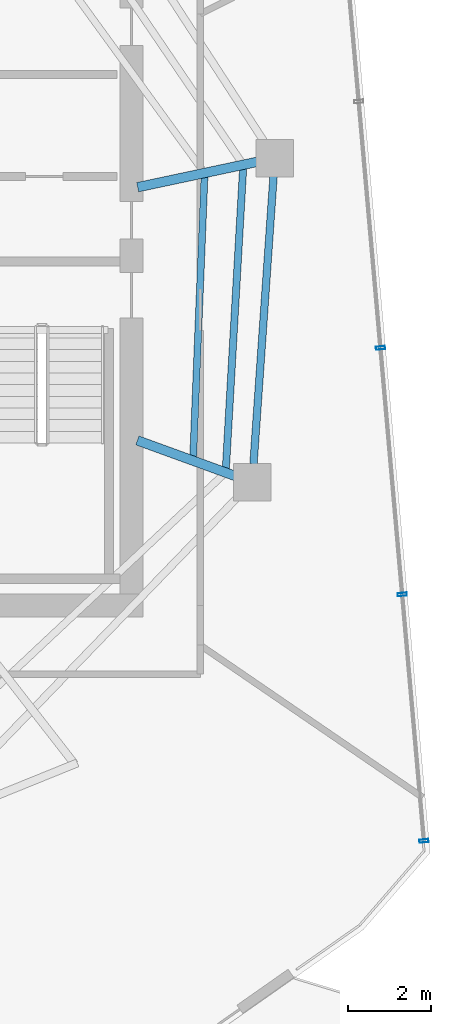
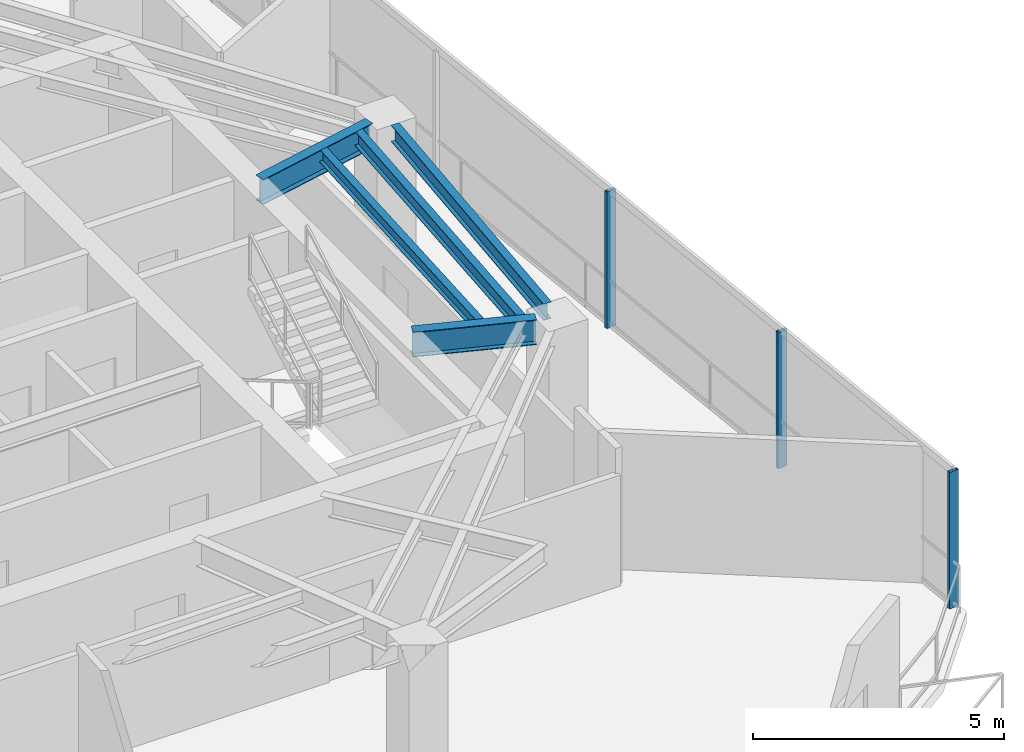
# One storey, part 9 of 20: 5 beams, 3 members, 1 element without a shape of its own.
"""IFC4 building model written with IfcOpenShell, lengths in metres."""

from ifc_helpers import new_model, si_unit, direction, frame, origin, origin_2d, place, context, subcontext, project, spatial, hollow_rectangle, i_section, extrude, material, layer, layer_set, material_profile, profile_set, type_object, element, aggregate, save


model = new_model("IFC4")

# Units and contexts
model_context = context("Model", 3, precision=1e-05, world=origin(), true_north=direction((0.0, 1.0)))
body_context = subcontext(model_context, "Body", "Model", "MODEL_VIEW")
ifc_project = project(units=[si_unit("LENGTHUNIT", "METRE"), si_unit("AREAUNIT", "SQUARE_METRE"), si_unit("VOLUMEUNIT", "CUBIC_METRE"), si_unit("PLANEANGLEUNIT", "RADIAN"), si_unit("MASSUNIT", "GRAM", prefix="KILO")], contexts=[model_context])

# Site, building, storey
site_placement = place(None, origin())
site = spatial("IfcSite", under=ifc_project, at=site_placement, CompositionType="ELEMENT")
building_placement = place(site_placement, origin())
building = spatial("IfcBuilding", under=site, at=building_placement, Name="Qarnah Convention Tower", CompositionType="ELEMENT")
storey_placement = place(building_placement, frame((0.0, 0.0, 198.60009765625)))
storey = spatial("IfcBuildingStorey", under=building, at=storey_placement, Name="L53", CompositionType="ELEMENT", Elevation=198.60009765625)

# Beams
ifc_material_1 = material(Name="Structural steel S355JR", Category="steel")
ifc_material_profile_1 = material_profile(ifc_material_1, i_section(OverallWidth=0.166015625, OverallDepth=0.31201171875, WebThickness=0.007080078125, FlangeThickness=0.010986328125, at=origin_2d()), Name="W310X45")
ifc_profile_set_1 = profile_set([ifc_material_profile_1], Name="Structural steel S355JR")
beam_type_1 = type_object("IfcBeamType", Name="BM-JST-W310", PredefinedType="JOIST", material=ifc_profile_set_1)
beam_1_placement = place(storey_placement, frame((49.0810546875, 22.166015625, 3.163818359375), z_axis=(0.040101253975, 0.999195621202, 0.0), x_axis=(-0.999195621202, 0.040101253975, 0.0)))
element("IfcBeam", 1, at=beam_1_placement, inside=storey, type_object=beam_type_1, Name="L53 joist BM-L53-IJST-09", PredefinedType="JOIST", context=body_context, shape_type="SweptSolid", body=[
    extrude(i_section(OverallWidth=0.166015625, OverallDepth=0.31201171875, WebThickness=0.007080078125, FlangeThickness=0.010986328125, at=origin_2d()), origin(), (0.0, 0.0, 1.0), 6.7333984375),
])
ifc_material_profile_2 = material_profile(ifc_material_1, i_section(OverallWidth=0.172119140625, OverallDepth=0.35595703125, WebThickness=0.007080078125, FlangeThickness=0.011962890625, at=origin_2d()), Name="W360X51")
ifc_profile_set_2 = profile_set([ifc_material_profile_2], Name="Structural steel S355JR")
beam_type_2 = type_object("IfcBeamType", Name="BM-JST-W360", PredefinedType="JOIST", material=ifc_profile_set_2)
beam_2_placement = place(storey_placement, frame((49.864990234375, 21.882080078125, 3.141845703125), z_axis=(0.057342500082, 0.998354565114, 0.0), x_axis=(-0.998354565114, 0.057342500082, 0.0)))
element("IfcBeam", 2, at=beam_2_placement, inside=storey, type_object=beam_type_2, Name="L53 joist BM-L53-SJST-09", PredefinedType="JOIST", context=body_context, shape_type="SweptSolid", body=[
    extrude(i_section(OverallWidth=0.172119140625, OverallDepth=0.35595703125, WebThickness=0.007080078125, FlangeThickness=0.011962890625, at=origin_2d()), origin(), (0.0, 0.0, 1.0), 7.220947265625),
])
ifc_material_profile_3 = material_profile(ifc_material_1, i_section(OverallWidth=0.22802734375, OverallDepth=0.60791015625, WebThickness=0.010986328125, FlangeThickness=0.01708984375, at=origin_2d()), Name="W610X113")
ifc_profile_set_3 = profile_set([ifc_material_profile_3], Name="Structural steel S355JR")
beam_type_3 = type_object("IfcBeamType", Name="BM-RAD-W610B", PredefinedType="BEAM", material=ifc_profile_set_3)
beam_3_placement = place(storey_placement, frame((47.7470703125, 28.64208984375, 3.015869140625), z_axis=(0.978136876062, 0.207962140033, 0.0), x_axis=(-0.207962140033, 0.978136876062, 0.0)))
element("IfcBeam", 3, at=beam_3_placement, inside=storey, type_object=beam_type_3, Name="L53 beam BM-L53-RAD-01", PredefinedType="BEAM", context=body_context, shape_type="SweptSolid", body=[
    extrude(i_section(OverallWidth=0.22802734375, OverallDepth=0.60791015625, WebThickness=0.010986328125, FlangeThickness=0.01708984375, at=origin_2d()), origin(), (0.0, 0.0, 1.0), 2.937255859375),
])
beam_4_placement = place(storey_placement, frame((47.740966796875, 22.56298828125, 3.015869140625), z_axis=(0.939707956932, -0.341978004671, 0.0), x_axis=(0.341978004671, 0.939707956932, 0.0)))
element("IfcBeam", 4, at=beam_4_placement, inside=storey, type_object=beam_type_3, Name="L53 beam BM-L53-RAD-09", PredefinedType="BEAM", context=body_context, shape_type="SweptSolid", body=[
    extrude(i_section(OverallWidth=0.22802734375, OverallDepth=0.60791015625, WebThickness=0.010986328125, FlangeThickness=0.01708984375, at=origin_2d()), origin(), (0.0, 0.0, 1.0), 2.5029296875),
])
ifc_material_profile_4 = material_profile(ifc_material_1, i_section(OverallWidth=0.179931640625, OverallDepth=0.39990234375, WebThickness=0.009033203125, FlangeThickness=0.013916015625, at=origin_2d()), Name="IPE400")
ifc_profile_set_4 = profile_set([ifc_material_profile_4], Name="Structural steel S355JR")
beam_type_4 = type_object("IfcBeamType", Name="BM-SPN-IPE400", PredefinedType="SPANDREL", material=ifc_profile_set_4)
beam_5_placement = place(storey_placement, frame((50.528076171875, 21.9990234375, 3.119873046875), z_axis=(0.069635000818, 0.997572537042, 0.0), x_axis=(-0.997572537042, 0.069635000818, 0.0)))
element("IfcBeam", 5, at=beam_5_placement, inside=storey, type_object=beam_type_4, Name="L53 spandrel BM-L53-SPN-09", PredefinedType="SPANDREL", context=body_context, shape_type="SweptSolid", body=[
    extrude(i_section(OverallWidth=0.179931640625, OverallDepth=0.39990234375, WebThickness=0.009033203125, FlangeThickness=0.013916015625, at=origin_2d()), origin(), (0.0, 0.0, 1.0), 6.9208984375),
])

# Curtain wall, members
ifc_material_2 = material(Name="Tempered Low-E dark glass", Category="glass")
ifc_layer = layer(ifc_material_2, 0.174072265625)
ifc_layer_set = layer_set([ifc_layer], Name="Tempered Low-E dark glass")
curtain_wall_type = type_object("IfcCurtainWallType", Name="CWS-04", PredefinedType="NOTDEFINED", material=ifc_layer_set)
curtain_wall_placement = place(storey_placement, origin())
curtain_wall = element("IfcCurtainWall", 6, at=curtain_wall_placement, inside=storey, type_object=curtain_wall_type, Name="L53 unitised curtain wall CW-L53-F3", PredefinedType="NOTDEFINED")
ifc_material_3 = material(Name="Black anodised aluminium", Category="aluminium")
ifc_material_profile_5 = material_profile(ifc_material_3, hollow_rectangle(XDim=0.074951171875, YDim=0.219970703125, WallThickness=0.0048828125, at=origin_2d()), Name="MUL-75X220")
ifc_profile_set_5 = profile_set([ifc_material_profile_5], Name="Black anodised aluminium")
member_type = type_object("IfcMemberType", Name="MUL-T4", PredefinedType="MULLION", material=ifc_profile_set_5)
member_1_placement = place(storey_placement, frame((53.577880859375, 24.783447265625, 0.0), z_axis=(0.0, 0.0, 1.0), x_axis=(0.087861384632, -0.996132710582, 0.0)))
member_1 = element("IfcMember", 7, at=member_1_placement, type_object=member_type, Name="CW-L53-F3 mullion 4", PredefinedType="MULLION", context=body_context, shape_type="SweptSolid", body=[
    extrude(hollow_rectangle(XDim=0.074951171875, YDim=0.219970703125, WallThickness=0.0048828125, at=origin_2d()), origin(), (0.0, 0.0, 1.0), 3.31982421875),
])
member_2_placement = place(storey_placement, frame((54.10009765625, 18.865234375, 0.0), z_axis=(0.0, 0.0, 1.0), x_axis=(0.087861384632, -0.996132710582, 0.0)))
member_2 = element("IfcMember", 8, at=member_2_placement, type_object=member_type, Name="CW-L53-F3 mullion 5", PredefinedType="MULLION", context=body_context, shape_type="SweptSolid", body=[
    extrude(hollow_rectangle(XDim=0.074951171875, YDim=0.219970703125, WallThickness=0.0048828125, at=origin_2d()), origin(), (0.0, 0.0, 1.0), 3.31982421875),
])
member_3_placement = place(storey_placement, frame((54.6220703125, 12.947021484375, 0.0), z_axis=(0.0, 0.0, 1.0), x_axis=(0.087861384632, -0.996132710582, 0.0)))
member_3 = element("IfcMember", 9, at=member_3_placement, type_object=member_type, Name="CW-L53-F3 mullion 6", PredefinedType="MULLION", context=body_context, shape_type="SweptSolid", body=[
    extrude(hollow_rectangle(XDim=0.074951171875, YDim=0.219970703125, WallThickness=0.0048828125, at=origin_2d()), origin(), (0.0, 0.0, 1.0), 3.31982421875),
])
aggregate(curtain_wall, [member_1, member_2, member_3])

save(model, "model.ifc")
